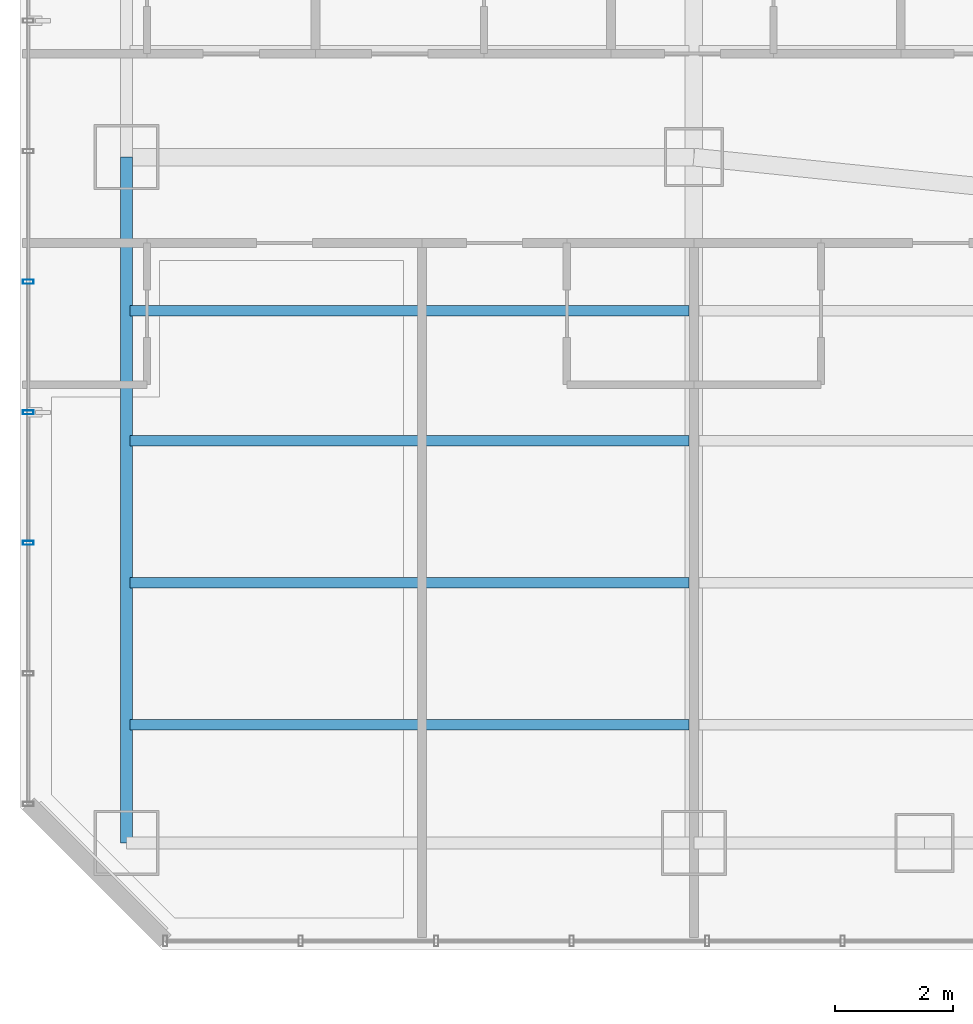
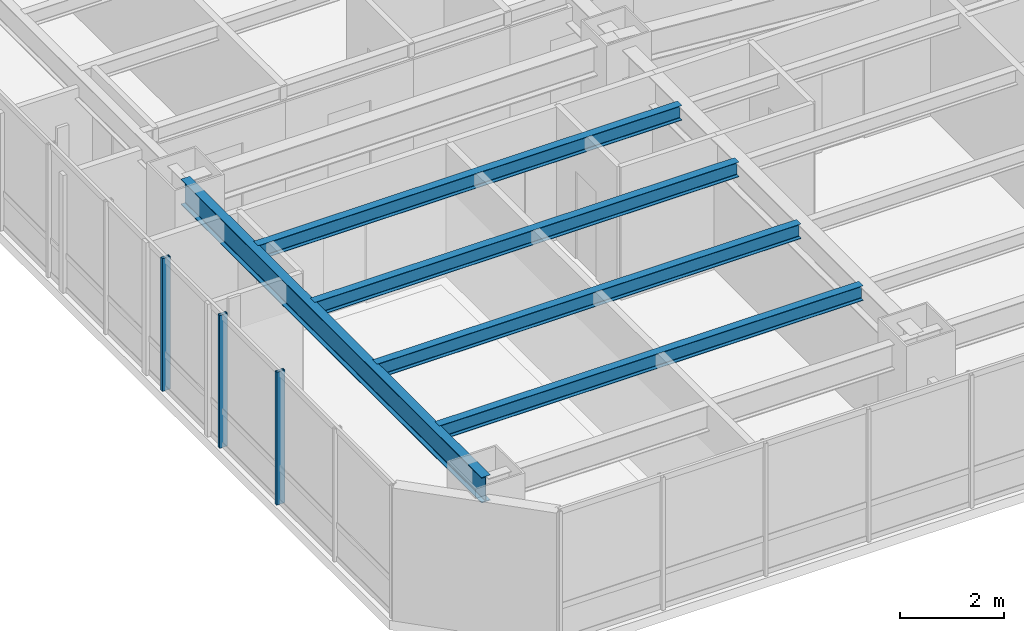
# One storey, part 5 of 38: 5 beams, 3 members, 1 element without a shape of its own.
"""IFC4 building model written with IfcOpenShell, lengths in metres."""

from ifc_helpers import new_model, si_unit, direction, frame, origin, origin_2d, place, context, subcontext, project, spatial, hollow_rectangle, i_section, extrude, material, layer, layer_set, material_profile, profile_set, type_object, element, aggregate, save


model = new_model("IFC4")

# Units and contexts
model_context = context("Model", 3, precision=1e-05, world=origin(), true_north=direction((0.0, 1.0)))
body_context = subcontext(model_context, "Body", "Model", "MODEL_VIEW")
ifc_project = project(units=[si_unit("LENGTHUNIT", "METRE"), si_unit("AREAUNIT", "SQUARE_METRE"), si_unit("VOLUMEUNIT", "CUBIC_METRE"), si_unit("PLANEANGLEUNIT", "RADIAN"), si_unit("MASSUNIT", "GRAM", prefix="KILO")], contexts=[model_context])

# Site, building, storey
site_placement = place(None, origin())
site = spatial("IfcSite", under=ifc_project, at=site_placement, CompositionType="ELEMENT")
building_placement = place(site_placement, origin())
building = spatial("IfcBuilding", under=site, at=building_placement, Name="Hatsunagi Terrace Concourse", CompositionType="ELEMENT")
storey_placement = place(building_placement, frame((0.0, 0.0, 60.050048828125)))
storey = spatial("IfcBuildingStorey", under=building, at=storey_placement, Name="L15", CompositionType="ELEMENT", Elevation=60.050048828125)

# Curtain wall, members
ifc_material_1 = material(Name="Anodised Aluminium Alloy 6063-T5", Category="aluminium")
ifc_layer = layer(ifc_material_1, 0.199951171875)
ifc_layer_set = layer_set([ifc_layer], Name="HotelFacade_CW02")
curtain_wall_type = type_object("IfcCurtainWallType", Name="HotelFacade_CW02", PredefinedType="NOTDEFINED", material=ifc_layer_set)
curtain_wall_placement = place(storey_placement, origin())
curtain_wall = element("IfcCurtainWall", 1, at=curtain_wall_placement, inside=storey, type_object=curtain_wall_type, Name="Unitised Curtain Wall CW-02 CW-L15-09", PredefinedType="NOTDEFINED")
ifc_material_2 = material(Name="Anodised Aluminium Alloy 6063-T5", Category="aluminium")
ifc_material_profile_1 = material_profile(ifc_material_2, hollow_rectangle(XDim=0.070068359375, YDim=0.179931640625, WallThickness=0.00390625, at=origin_2d()), Name="ALU-MUL-180x70x4")
ifc_profile_set_1 = profile_set([ifc_material_profile_1], Name="Anodised Aluminium Alloy 6063-T5")
member_type = type_object("IfcMemberType", Name="CurtainWallMullion_180x70", PredefinedType="MULLION", material=ifc_profile_set_1)
member_1_placement = place(storey_placement, frame((0.139892578125, 30.27490234375, 0.0), z_axis=(0.0, 0.0, 1.0), x_axis=(0.0, 1.0, 0.0)))
member_1 = element("IfcMember", 2, at=member_1_placement, type_object=member_type, Name="Curtain Wall Mullion MUL-02", PredefinedType="MULLION", context=body_context, shape_type="SweptSolid", body=[
    extrude(hollow_rectangle(XDim=0.070068359375, YDim=0.179931640625, WallThickness=0.00390625, at=origin_2d()), origin(), (0.0, 0.0, 1.0), 3.1298828125),
])
member_2_placement = place(storey_placement, frame((0.139892578125, 32.48291015625, 0.0), z_axis=(0.0, 0.0, 1.0), x_axis=(0.0, 1.0, 0.0)))
member_2 = element("IfcMember", 3, at=member_2_placement, type_object=member_type, Name="Curtain Wall Mullion MUL-02", PredefinedType="MULLION", context=body_context, shape_type="SweptSolid", body=[
    extrude(hollow_rectangle(XDim=0.070068359375, YDim=0.179931640625, WallThickness=0.00390625, at=origin_2d()), origin(), (0.0, 0.0, 1.0), 3.1298828125),
])
member_3_placement = place(storey_placement, frame((0.139892578125, 34.69189453125, 0.0), z_axis=(0.0, 0.0, 1.0), x_axis=(0.0, 1.0, 0.0)))
member_3 = element("IfcMember", 4, at=member_3_placement, type_object=member_type, Name="Curtain Wall Mullion MUL-02", PredefinedType="MULLION", context=body_context, shape_type="SweptSolid", body=[
    extrude(hollow_rectangle(XDim=0.070068359375, YDim=0.179931640625, WallThickness=0.00390625, at=origin_2d()), origin(), (0.0, 0.0, 1.0), 3.1298828125),
])
aggregate(curtain_wall, [member_1, member_2, member_3])

# Beams
ifc_material_3 = material(Name="Steel SN490B", Category="steel")
ifc_material_profile_2 = material_profile(ifc_material_3, i_section(OverallWidth=0.175048828125, OverallDepth=0.35009765625, WebThickness=0.007080078125, FlangeThickness=0.010986328125, FilletRadius=0.012939453125, at=origin_2d()), Name="H-350x175x7x11")
ifc_profile_set_2 = profile_set([ifc_material_profile_2], Name="Steel SN490B")
beam_type_1 = type_object("IfcBeamType", Name="HotelJoist_H_350x175", PredefinedType="JOIST", material=ifc_profile_set_2)
for number, where, z_axis, x_axis, name in (
    (5, (1.864990234375, 27.199951171875, 2.954833984375), (1.0, 0.0, 0.0), (0.0, 1.0, 0.0), "Beam J-02 J-L15-W-1-272"),
    (6, (1.864990234375, 29.60009765625, 2.954833984375), (1.0, 0.0, 0.0), (0.0, 1.0, 0.0), "Beam J-02 J-L15-W-1-296"),
    (7, (1.864990234375, 32.0, 2.954833984375), (1.0, 0.0, 0.0), (0.0, 1.0, 0.0), "Beam J-02 J-L15-W-1-320"),
    (8, (1.864990234375, 34.199951171875, 2.954833984375), (1.0, 0.0, 0.0), (0.0, 1.0, 0.0), "Beam J-02 J-L15-W-1-342"),
):
    element("IfcBeam", number, at=place(storey_placement, frame(where, z_axis=z_axis, x_axis=x_axis)), inside=storey, type_object=beam_type_1, Name=name, PredefinedType="JOIST", context=body_context, shape_type="SweptSolid", body=[
        extrude(i_section(OverallWidth=0.175048828125, OverallDepth=0.35009765625, WebThickness=0.007080078125, FlangeThickness=0.010986328125, FilletRadius=0.012939453125, at=origin_2d()), origin(), (0.0, 0.0, 1.0), 9.449951171875),
    ])
ifc_material_4 = material(Name="Steel SN490B", Category="steel")
ifc_material_profile_3 = material_profile(ifc_material_4, i_section(OverallWidth=0.199951171875, OverallDepth=0.60009765625, WebThickness=0.010986328125, FlangeThickness=0.01708984375, FilletRadius=0.01806640625, at=origin_2d()), Name="H-600x200x11x17")
ifc_profile_set_3 = profile_set([ifc_material_profile_3], Name="Steel SN490B")
beam_type_2 = type_object("IfcBeamType", Name="PerimeterSpandrel_H_600x200", PredefinedType="SPANDREL", material=ifc_profile_set_3)
beam_placement = place(storey_placement, frame((1.800048828125, 25.199951171875, 2.829833984375), z_axis=(0.0, 1.0, 0.0), x_axis=(-1.0, 0.0, 0.0)))
element("IfcBeam", 9, at=beam_placement, inside=storey, type_object=beam_type_2, Name="Beam SP-01 BM-L15-NS-1-25", PredefinedType="SPANDREL", context=body_context, shape_type="SweptSolid", body=[
    extrude(i_section(OverallWidth=0.199951171875, OverallDepth=0.60009765625, WebThickness=0.010986328125, FlangeThickness=0.01708984375, FilletRadius=0.01806640625, at=origin_2d()), origin(), (0.0, 0.0, 1.0), 11.60009765625),
])

save(model, "model.ifc")
